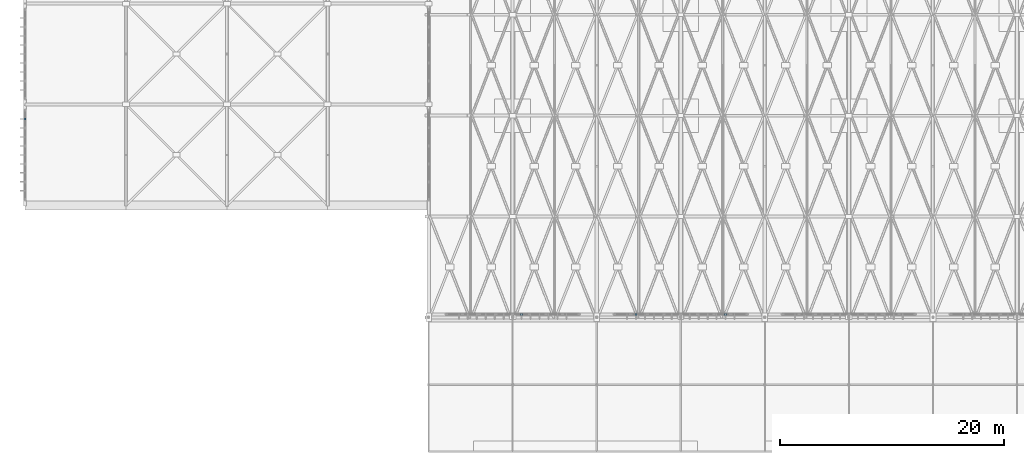
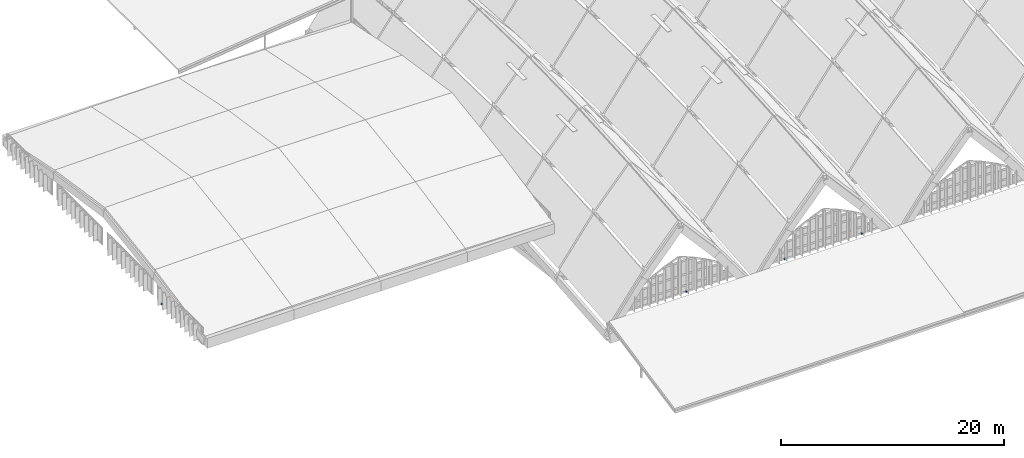
# One storey, part 78 of 93: 4 discrete accessories.
"""IFC4 building model written with IfcOpenShell, lengths in metres."""

from ifc_helpers import new_model, si_unit, direction, frame, origin, origin_2d, place, context, subcontext, project, spatial, rectangle, extrude, material, type_object, element, save


model = new_model("IFC4")

# Units and contexts
model_context = context("Model", 3, precision=1e-05, world=origin(), true_north=direction((0.0, 1.0)))
body_context = subcontext(model_context, "Body", "Model", "MODEL_VIEW")
ifc_project = project(units=[si_unit("LENGTHUNIT", "METRE"), si_unit("AREAUNIT", "SQUARE_METRE"), si_unit("VOLUMEUNIT", "CUBIC_METRE"), si_unit("PLANEANGLEUNIT", "RADIAN"), si_unit("MASSUNIT", "GRAM", prefix="KILO")], contexts=[model_context])

# Site, building, storey
site_placement = place(None, origin())
site = spatial("IfcSite", under=ifc_project, at=site_placement, CompositionType="ELEMENT")
building_placement = place(site_placement, origin())
building = spatial("IfcBuilding", under=site, at=building_placement, Name="Vourika Railside Aquatics Centre", CompositionType="ELEMENT")
storey_placement = place(building_placement, frame((0.0, 0.0, 21.89990234375)))
storey = spatial("IfcBuildingStorey", under=building, at=storey_placement, Name="Roof", CompositionType="ELEMENT", Elevation=21.89990234375)

# Discrete accessories
ifc_material = material(Name="Duplex stainless steel EN 1.4462", Category="steel")
discrete_accessory_type = type_object("IfcDiscreteAccessoryType", Name="ACC-BRK-180", PredefinedType="BRACKET", material=ifc_material)
for number, where, z_axis, x_axis, name in (
    (1, (44.300048828125, 12.25, -9.8798828125), (0.0, 0.0, 1.0), (0.0, -1.0, 0.0), "Stainless Fin Shoe Bracket BK-003"),
    (2, (54.5, 12.25, -9.8798828125), (0.0, 0.0, 1.0), (0.0, -1.0, 0.0), "Stainless Fin Shoe Bracket BK-005"),
    (3, (62.5, 12.25, -9.8798828125), (0.0, 0.0, 1.0), (0.0, -1.0, 0.0), "Stainless Fin Shoe Bracket BK-006"),
    (4, (-0.030029296875, 29.699951171875, -6.300048828125), (0.0, 0.0, 1.0), (-1.0, 0.0, 0.0), "Stainless Fin Shoe Bracket BK-030"),
):
    element("IfcDiscreteAccessory", number, at=place(storey_placement, frame(where, z_axis=z_axis, x_axis=x_axis)), inside=storey, type_object=discrete_accessory_type, Name=name, PredefinedType="BRACKET", context=body_context, shape_type="SweptSolid", body=[
        extrude(rectangle(XDim=0.179931640625, YDim=0.179931640625, at=origin_2d()), origin(), (0.0, 0.0, 1.0), 0.1201171875),
    ])

save(model, "model.ifc")
